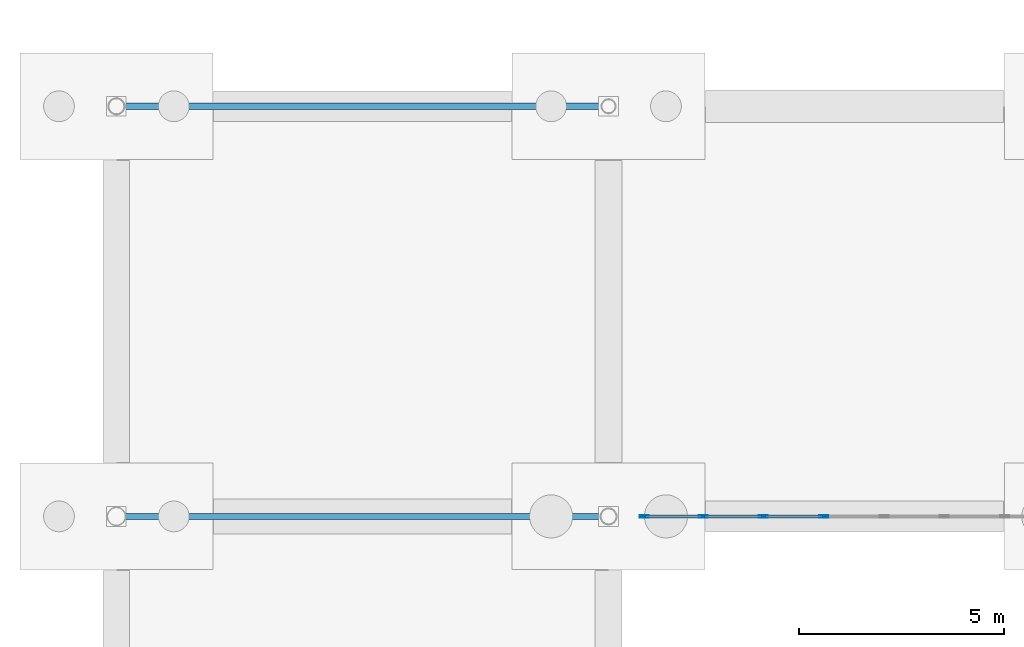
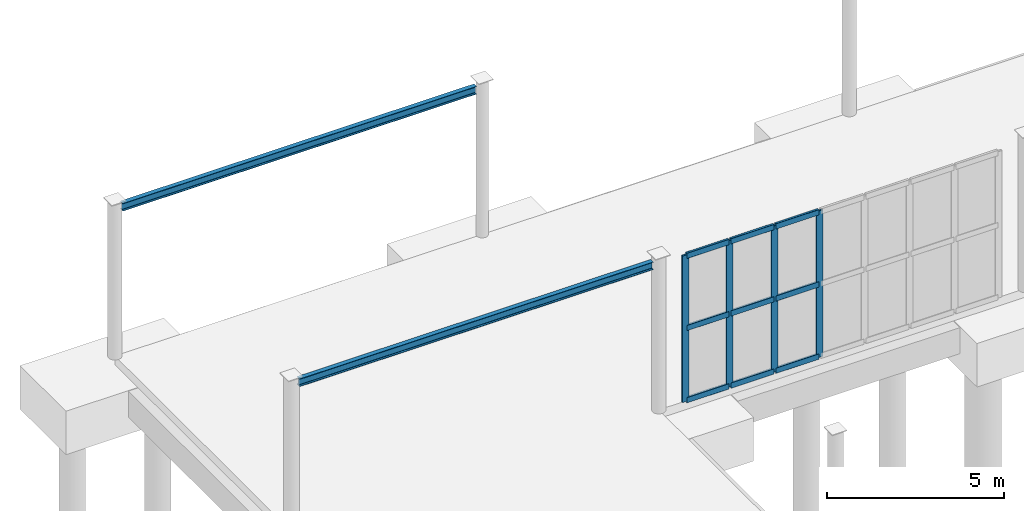
# One storey, part 32 of 70: 13 members, 2 beams, 1 element without a shape of its own.
"""IFC4 building model written with IfcOpenShell, lengths in metres."""

from ifc_helpers import new_model, si_unit, direction, frame, origin, origin_2d, place, context, subcontext, project, spatial, hollow_rectangle, i_section, extrude, material, layer, layer_set, material_profile, profile_set, type_object, element, aggregate, save


model = new_model("IFC4")

# Units and contexts
model_context = context("Model", 3, precision=1e-05, world=origin(), true_north=direction((0.0, 1.0)))
body_context = subcontext(model_context, "Body", "Model", "MODEL_VIEW")
ifc_project = project(units=[si_unit("LENGTHUNIT", "METRE"), si_unit("AREAUNIT", "SQUARE_METRE"), si_unit("VOLUMEUNIT", "CUBIC_METRE"), si_unit("PLANEANGLEUNIT", "RADIAN"), si_unit("MASSUNIT", "GRAM", prefix="KILO")], contexts=[model_context])

# Site, building, storey
site_placement = place(None, origin())
site = spatial("IfcSite", under=ifc_project, at=site_placement, CompositionType="ELEMENT")
building_placement = place(site_placement, origin())
building = spatial("IfcBuilding", under=site, at=building_placement, Name="Brinegate Civic Arena", CompositionType="ELEMENT")
storey_placement = place(building_placement, origin())
storey = spatial("IfcBuildingStorey", under=building, at=storey_placement, Name="L00", CompositionType="ELEMENT", Elevation=0.0)

# Curtain wall, members
ifc_material_1 = material(Name="Marine grade aluminium", Category="aluminium")
ifc_layer = layer(ifc_material_1, 0.215087890625, Name="Marine grade aluminium")
ifc_layer_set = layer_set([ifc_layer], Name="Marine grade aluminium")
curtain_wall_type = type_object("IfcCurtainWallType", Name="CW-FOYER-GLAZED-02", PredefinedType="USERDEFINED", material=ifc_layer_set)
curtain_wall_placement = place(storey_placement, origin())
curtain_wall = element("IfcCurtainWall", 1, at=curtain_wall_placement, inside=storey, type_object=curtain_wall_type, Name="Curtain Wall CWA-005", ObjectType="GLAZED CURTAIN WALL", PredefinedType="USERDEFINED")
ifc_material_profile_1 = material_profile(ifc_material_1, hollow_rectangle(XDim=0.06494140625, YDim=0.219970703125, WallThickness=0.006103515625, InnerFilletRadius=0.00390625, OuterFilletRadius=0.008056640625, at=origin_2d()), Name="MUL65X220")
ifc_profile_set_1 = profile_set([ifc_material_profile_1], Name="Marine grade aluminium")
member_type_1 = type_object("IfcMemberType", Name="CW-MULLION-65X220", PredefinedType="MULLION", material=ifc_profile_set_1)
member_1_placement = place(storey_placement, frame((12.869384765625, 114.0, 0.0), z_axis=(0.0, 0.0, 1.0), x_axis=(0.0, 1.0, 0.0)))
member_1 = element("IfcMember", 2, at=member_1_placement, type_object=member_type_1, Name="CWA-005 mullion 1", PredefinedType="MULLION", context=body_context, shape_type="SweptSolid", body=[
    extrude(hollow_rectangle(XDim=0.06494140625, YDim=0.219970703125, WallThickness=0.006103515625, InnerFilletRadius=0.00390625, OuterFilletRadius=0.008056640625, at=origin_2d()), origin(), (0.0, 0.0, 1.0), 5.06005859375),
])
member_2_placement = place(storey_placement, frame((14.306884765625, 114.0, 0.0), z_axis=(0.0, 0.0, 1.0), x_axis=(0.0, 1.0, 0.0)))
member_2 = element("IfcMember", 3, at=member_2_placement, type_object=member_type_1, Name="CWA-005 mullion 2", PredefinedType="MULLION", context=body_context, shape_type="SweptSolid", body=[
    extrude(hollow_rectangle(XDim=0.06494140625, YDim=0.219970703125, WallThickness=0.006103515625, InnerFilletRadius=0.00390625, OuterFilletRadius=0.008056640625, at=origin_2d()), origin(), (0.0, 0.0, 1.0), 5.06005859375),
])
member_3_placement = place(storey_placement, frame((15.777099609375, 114.0, 0.0), z_axis=(0.0, 0.0, 1.0), x_axis=(0.0, 1.0, 0.0)))
member_3 = element("IfcMember", 4, at=member_3_placement, type_object=member_type_1, Name="CWA-005 mullion 3", PredefinedType="MULLION", context=body_context, shape_type="SweptSolid", body=[
    extrude(hollow_rectangle(XDim=0.06494140625, YDim=0.219970703125, WallThickness=0.006103515625, InnerFilletRadius=0.00390625, OuterFilletRadius=0.008056640625, at=origin_2d()), origin(), (0.0, 0.0, 1.0), 5.06005859375),
])
member_4_placement = place(storey_placement, frame((17.2470703125, 114.0, 0.0), z_axis=(0.0, 0.0, 1.0), x_axis=(0.0, 1.0, 0.0)))
member_4 = element("IfcMember", 5, at=member_4_placement, type_object=member_type_1, Name="CWA-005 mullion 4", PredefinedType="MULLION", context=body_context, shape_type="SweptSolid", body=[
    extrude(hollow_rectangle(XDim=0.06494140625, YDim=0.219970703125, WallThickness=0.006103515625, InnerFilletRadius=0.00390625, OuterFilletRadius=0.008056640625, at=origin_2d()), origin(), (0.0, 0.0, 1.0), 5.06005859375),
])
ifc_material_profile_2 = material_profile(ifc_material_1, hollow_rectangle(XDim=0.074951171875, YDim=0.18994140625, WallThickness=0.006103515625, InnerFilletRadius=0.00390625, OuterFilletRadius=0.008056640625, at=origin_2d()), Name="TRN75X190")
ifc_profile_set_2 = profile_set([ifc_material_profile_2], Name="Marine grade aluminium")
member_type_2 = type_object("IfcMemberType", Name="CW-TRANSOM-75X190", PredefinedType="USERDEFINED", material=ifc_profile_set_2)
member_5_placement = place(storey_placement, frame((12.902099609375, 114.0, 0.03759765625), z_axis=(1.0, 0.0, 0.0), x_axis=(0.0, 1.0, 0.0)))
member_5 = element("IfcMember", 6, at=member_5_placement, type_object=member_type_2, Name="CWA-005 transom 1.1", ObjectType="TRANSOM", PredefinedType="USERDEFINED", context=body_context, shape_type="SweptSolid", body=[
    extrude(hollow_rectangle(XDim=0.074951171875, YDim=0.18994140625, WallThickness=0.006103515625, InnerFilletRadius=0.00390625, OuterFilletRadius=0.008056640625, at=origin_2d()), origin(), (0.0, 0.0, 1.0), 1.372314453125),
])
member_6_placement = place(storey_placement, frame((12.902099609375, 114.0, 2.530029296875), z_axis=(1.0, 0.0, 0.0), x_axis=(0.0, 1.0, 0.0)))
member_6 = element("IfcMember", 7, at=member_6_placement, type_object=member_type_2, Name="CWA-005 transom 1.2", ObjectType="TRANSOM", PredefinedType="USERDEFINED", context=body_context, shape_type="SweptSolid", body=[
    extrude(hollow_rectangle(XDim=0.074951171875, YDim=0.18994140625, WallThickness=0.006103515625, InnerFilletRadius=0.00390625, OuterFilletRadius=0.008056640625, at=origin_2d()), origin(), (0.0, 0.0, 1.0), 1.372314453125),
])
member_7_placement = place(storey_placement, frame((12.902099609375, 114.0, 5.0224609375), z_axis=(1.0, 0.0, 0.0), x_axis=(0.0, 1.0, 0.0)))
member_7 = element("IfcMember", 8, at=member_7_placement, type_object=member_type_2, Name="CWA-005 transom 1.3", ObjectType="TRANSOM", PredefinedType="USERDEFINED", context=body_context, shape_type="SweptSolid", body=[
    extrude(hollow_rectangle(XDim=0.074951171875, YDim=0.18994140625, WallThickness=0.006103515625, InnerFilletRadius=0.00390625, OuterFilletRadius=0.008056640625, at=origin_2d()), origin(), (0.0, 0.0, 1.0), 1.372314453125),
])
member_8_placement = place(storey_placement, frame((14.339599609375, 114.0, 0.03759765625), z_axis=(1.0, 0.0, 0.0), x_axis=(0.0, 1.0, 0.0)))
member_8 = element("IfcMember", 9, at=member_8_placement, type_object=member_type_2, Name="CWA-005 transom 2.1", ObjectType="TRANSOM", PredefinedType="USERDEFINED", context=body_context, shape_type="SweptSolid", body=[
    extrude(hollow_rectangle(XDim=0.074951171875, YDim=0.18994140625, WallThickness=0.006103515625, InnerFilletRadius=0.00390625, OuterFilletRadius=0.008056640625, at=origin_2d()), origin(), (0.0, 0.0, 1.0), 1.40478515625),
])
member_9_placement = place(storey_placement, frame((14.339599609375, 114.0, 2.530029296875), z_axis=(1.0, 0.0, 0.0), x_axis=(0.0, 1.0, 0.0)))
member_9 = element("IfcMember", 10, at=member_9_placement, type_object=member_type_2, Name="CWA-005 transom 2.2", ObjectType="TRANSOM", PredefinedType="USERDEFINED", context=body_context, shape_type="SweptSolid", body=[
    extrude(hollow_rectangle(XDim=0.074951171875, YDim=0.18994140625, WallThickness=0.006103515625, InnerFilletRadius=0.00390625, OuterFilletRadius=0.008056640625, at=origin_2d()), origin(), (0.0, 0.0, 1.0), 1.40478515625),
])
member_10_placement = place(storey_placement, frame((14.339599609375, 114.0, 5.0224609375), z_axis=(1.0, 0.0, 0.0), x_axis=(0.0, 1.0, 0.0)))
member_10 = element("IfcMember", 11, at=member_10_placement, type_object=member_type_2, Name="CWA-005 transom 2.3", ObjectType="TRANSOM", PredefinedType="USERDEFINED", context=body_context, shape_type="SweptSolid", body=[
    extrude(hollow_rectangle(XDim=0.074951171875, YDim=0.18994140625, WallThickness=0.006103515625, InnerFilletRadius=0.00390625, OuterFilletRadius=0.008056640625, at=origin_2d()), origin(), (0.0, 0.0, 1.0), 1.40478515625),
])
member_11_placement = place(storey_placement, frame((15.8095703125, 114.0, 0.03759765625), z_axis=(1.0, 0.0, 0.0), x_axis=(0.0, 1.0, 0.0)))
member_11 = element("IfcMember", 12, at=member_11_placement, type_object=member_type_2, Name="CWA-005 transom 3.1", ObjectType="TRANSOM", PredefinedType="USERDEFINED", context=body_context, shape_type="SweptSolid", body=[
    extrude(hollow_rectangle(XDim=0.074951171875, YDim=0.18994140625, WallThickness=0.006103515625, InnerFilletRadius=0.00390625, OuterFilletRadius=0.008056640625, at=origin_2d()), origin(), (0.0, 0.0, 1.0), 1.405029296875),
])
member_12_placement = place(storey_placement, frame((15.8095703125, 114.0, 2.530029296875), z_axis=(1.0, 0.0, 0.0), x_axis=(0.0, 1.0, 0.0)))
member_12 = element("IfcMember", 13, at=member_12_placement, type_object=member_type_2, Name="CWA-005 transom 3.2", ObjectType="TRANSOM", PredefinedType="USERDEFINED", context=body_context, shape_type="SweptSolid", body=[
    extrude(hollow_rectangle(XDim=0.074951171875, YDim=0.18994140625, WallThickness=0.006103515625, InnerFilletRadius=0.00390625, OuterFilletRadius=0.008056640625, at=origin_2d()), origin(), (0.0, 0.0, 1.0), 1.405029296875),
])
member_13_placement = place(storey_placement, frame((15.8095703125, 114.0, 5.0224609375), z_axis=(1.0, 0.0, 0.0), x_axis=(0.0, 1.0, 0.0)))
member_13 = element("IfcMember", 14, at=member_13_placement, type_object=member_type_2, Name="CWA-005 transom 3.3", ObjectType="TRANSOM", PredefinedType="USERDEFINED", context=body_context, shape_type="SweptSolid", body=[
    extrude(hollow_rectangle(XDim=0.074951171875, YDim=0.18994140625, WallThickness=0.006103515625, InnerFilletRadius=0.00390625, OuterFilletRadius=0.008056640625, at=origin_2d()), origin(), (0.0, 0.0, 1.0), 1.405029296875),
])
aggregate(curtain_wall, [member_1, member_2, member_3, member_4, member_5, member_6, member_7, member_8, member_9, member_10, member_11, member_12, member_13])

# Beams
ifc_material_2 = material(Name="Steel S355", Category="steel")
ifc_material_profile_3 = material_profile(ifc_material_2, i_section(OverallWidth=0.14794921875, OverallDepth=0.26611328125, WebThickness=0.008056640625, FlangeThickness=0.012939453125, FilletRadius=0.011962890625, at=origin_2d()), Name="W250X45")
ifc_profile_set_3 = profile_set([ifc_material_profile_3], Name="Steel S355")
beam_type = type_object("IfcBeamType", Name="LINTEL-W250X45", PredefinedType="LINTEL", material=ifc_profile_set_3)
for number, where, z_axis, x_axis, name in (
    (15, (0.219970703125, 124.0, 5.10009765625), (1.0, 0.0, 0.0), (0.0, 1.0, 0.0), "Colonnade Portal Lintel Header BL-CAN-01"),
    (16, (0.219970703125, 114.0, 5.10009765625), (1.0, 0.0, 0.0), (0.0, 1.0, 0.0), "Colonnade Portal Lintel Header BL-CAN-06"),
):
    element("IfcBeam", number, at=place(storey_placement, frame(where, z_axis=z_axis, x_axis=x_axis)), inside=storey, type_object=beam_type, Name=name, PredefinedType="LINTEL", context=body_context, shape_type="SweptSolid", body=[
        extrude(i_section(OverallWidth=0.14794921875, OverallDepth=0.26611328125, WebThickness=0.008056640625, FlangeThickness=0.012939453125, FilletRadius=0.011962890625, at=origin_2d()), origin(), (0.0, 0.0, 1.0), 11.56005859375),
    ])

save(model, "model.ifc")
